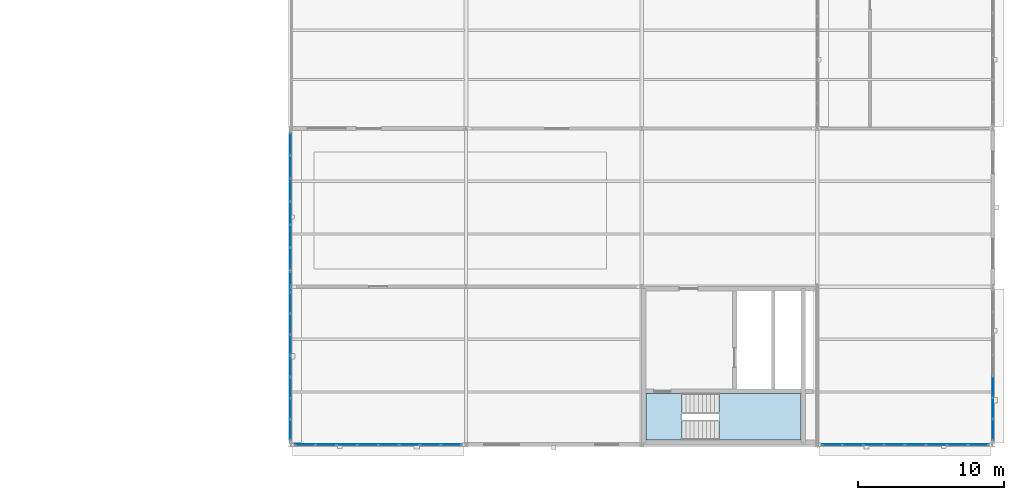
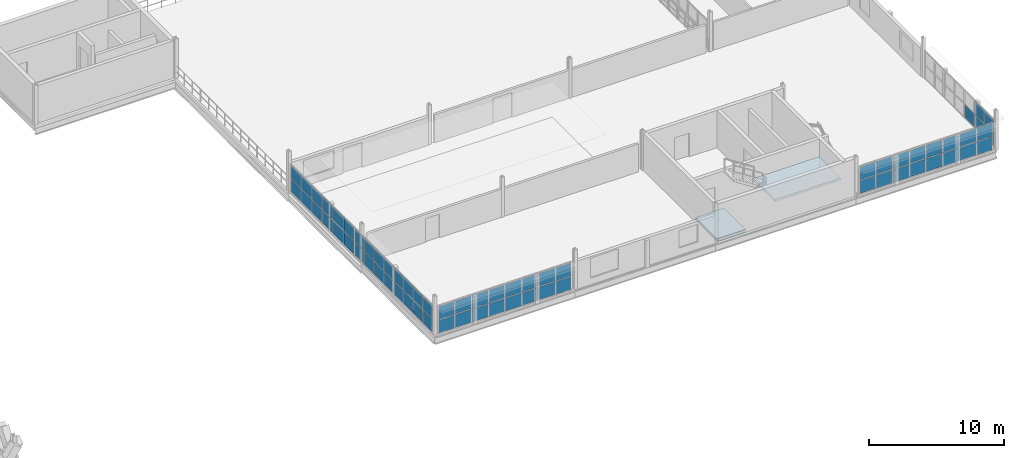
# One storey, part 48 of 74: 65 plates, 2 slabs, 6 elements without a shape of their own.
"""IFC4 building model written with IfcOpenShell, lengths in metres."""

from ifc_helpers import new_model, si_unit, direction, frame, origin, origin_2d, place, context, subcontext, project, spatial, polyline, rectangle, outline, extrude, material, layer, layer_set, type_object, element, aggregate, save


model = new_model("IFC4")

# Units and contexts
model_context = context("Model", 3, precision=1e-05, world=origin(), true_north=direction((0.0, 1.0)))
body_context = subcontext(model_context, "Body", "Model", "MODEL_VIEW")
ifc_project = project(units=[si_unit("LENGTHUNIT", "METRE"), si_unit("AREAUNIT", "SQUARE_METRE"), si_unit("VOLUMEUNIT", "CUBIC_METRE"), si_unit("PLANEANGLEUNIT", "RADIAN"), si_unit("MASSUNIT", "GRAM", prefix="KILO"), si_unit("THERMODYNAMICTEMPERATUREUNIT", "KELVIN"), si_unit("POWERUNIT", "WATT")], contexts=[model_context])

# Site, building, storey
site_placement = place(None, origin())
site = spatial("IfcSite", under=ifc_project, at=site_placement, CompositionType="ELEMENT")
building_placement = place(site_placement, origin())
building = spatial("IfcBuilding", under=site, at=building_placement, Name="Tembeka Court Mobility Hub", CompositionType="ELEMENT")
storey_placement = place(building_placement, frame((0.0, 0.0, 12.60009765625)))
storey = spatial("IfcBuildingStorey", under=building, at=storey_placement, Name="L03", CompositionType="ELEMENT", Elevation=12.60009765625)

# Curtain wall, plates
ifc_material_1 = material(Name="Anodised aluminium 6063-T6", Category="aluminium")
ifc_layer_1 = layer(ifc_material_1, 0.159912109375)
ifc_layer_set_1 = layer_set([ifc_layer_1], Name="Anodised aluminium 6063-T6")
curtain_wall_type_1 = type_object("IfcCurtainWallType", Name="CW-SYS41", PredefinedType="USERDEFINED", material=ifc_layer_set_1)
curtain_wall_1_placement = place(storey_placement, origin())
curtain_wall_1 = element("IfcCurtainWall", 1, at=curtain_wall_1_placement, inside=storey, type_object=curtain_wall_type_1, Name="Unitised curtain wall CW41 (CW-L03-133)", ObjectType="UNITISED GLAZING", PredefinedType="USERDEFINED")
ifc_material_2 = material(Name="Laminated solar-control low-E glass", Category="glass")
ifc_layer_2 = layer(ifc_material_2, 0.028076171875)
ifc_layer_set_2 = layer_set([ifc_layer_2], Name="Laminated solar-control low-E glass")
plate_type = type_object("IfcPlateType", Name="PL-CW01", PredefinedType="CURTAIN_PANEL", material=ifc_layer_set_2)
plate_1_placement = place(storey_placement, frame((129.4111328125, 0.0, 0.06494140625), z_axis=(0.0, 0.0, 1.0), x_axis=(1.0, 0.0, 0.0)))
plate_1 = element("IfcPlate", 2, at=plate_1_placement, type_object=plate_type, Name="CW41 panel 1.1", PredefinedType="CURTAIN_PANEL", context=body_context, shape_type="SweptSolid", body=[
    extrude(rectangle(XDim=1.33251953125, YDim=0.028076171875, at=origin_2d()), origin(), (0.0, 0.0, 1.0), 1.169921875),
])
plate_2_placement = place(storey_placement, frame((129.4111328125, 0.0, 1.300048828125), z_axis=(0.0, 0.0, 1.0), x_axis=(1.0, 0.0, 0.0)))
plate_2 = element("IfcPlate", 3, at=plate_2_placement, type_object=plate_type, Name="CW41 panel 1.2", PredefinedType="CURTAIN_PANEL", context=body_context, shape_type="SweptSolid", body=[
    extrude(rectangle(XDim=1.33251953125, YDim=0.028076171875, at=origin_2d()), origin(), (0.0, 0.0, 1.0), 1.169921875),
])
plate_3_placement = place(storey_placement, frame((130.824951171875, 0.0, 0.06494140625), z_axis=(0.0, 0.0, 1.0), x_axis=(1.0, 0.0, 0.0)))
plate_3 = element("IfcPlate", 4, at=plate_3_placement, type_object=plate_type, Name="CW41 panel 2.1", PredefinedType="CURTAIN_PANEL", context=body_context, shape_type="SweptSolid", body=[
    extrude(rectangle(XDim=1.364990234375, YDim=0.028076171875, at=origin_2d()), origin(), (0.0, 0.0, 1.0), 1.169921875),
])
plate_4_placement = place(storey_placement, frame((130.824951171875, 0.0, 1.300048828125), z_axis=(0.0, 0.0, 1.0), x_axis=(1.0, 0.0, 0.0)))
plate_4 = element("IfcPlate", 5, at=plate_4_placement, type_object=plate_type, Name="CW41 panel 2.2", PredefinedType="CURTAIN_PANEL", context=body_context, shape_type="SweptSolid", body=[
    extrude(rectangle(XDim=1.364990234375, YDim=0.028076171875, at=origin_2d()), origin(), (0.0, 0.0, 1.0), 1.169921875),
])
plate_5_placement = place(storey_placement, frame((132.2548828125, 0.0, 0.06494140625), z_axis=(0.0, 0.0, 1.0), x_axis=(1.0, 0.0, 0.0)))
plate_5 = element("IfcPlate", 6, at=plate_5_placement, type_object=plate_type, Name="CW41 panel 3.1", PredefinedType="CURTAIN_PANEL", context=body_context, shape_type="SweptSolid", body=[
    extrude(rectangle(XDim=1.364990234375, YDim=0.028076171875, at=origin_2d()), origin(), (0.0, 0.0, 1.0), 1.169921875),
])
plate_6_placement = place(storey_placement, frame((132.2548828125, 0.0, 1.300048828125), z_axis=(0.0, 0.0, 1.0), x_axis=(1.0, 0.0, 0.0)))
plate_6 = element("IfcPlate", 7, at=plate_6_placement, type_object=plate_type, Name="CW41 panel 3.2", PredefinedType="CURTAIN_PANEL", context=body_context, shape_type="SweptSolid", body=[
    extrude(rectangle(XDim=1.364990234375, YDim=0.028076171875, at=origin_2d()), origin(), (0.0, 0.0, 1.0), 1.169921875),
])
plate_7_placement = place(storey_placement, frame((133.68505859375, 0.0, 0.06494140625), z_axis=(0.0, 0.0, 1.0), x_axis=(1.0, 0.0, 0.0)))
plate_7 = element("IfcPlate", 8, at=plate_7_placement, type_object=plate_type, Name="CW41 panel 4.1", PredefinedType="CURTAIN_PANEL", context=body_context, shape_type="SweptSolid", body=[
    extrude(rectangle(XDim=1.364990234375, YDim=0.028076171875, at=origin_2d()), origin(), (0.0, 0.0, 1.0), 1.169921875),
])
plate_8_placement = place(storey_placement, frame((133.68505859375, 0.0, 1.300048828125), z_axis=(0.0, 0.0, 1.0), x_axis=(1.0, 0.0, 0.0)))
plate_8 = element("IfcPlate", 9, at=plate_8_placement, type_object=plate_type, Name="CW41 panel 4.2", PredefinedType="CURTAIN_PANEL", context=body_context, shape_type="SweptSolid", body=[
    extrude(rectangle(XDim=1.364990234375, YDim=0.028076171875, at=origin_2d()), origin(), (0.0, 0.0, 1.0), 1.169921875),
])
plate_9_placement = place(storey_placement, frame((135.114990234375, 0.0, 0.06494140625), z_axis=(0.0, 0.0, 1.0), x_axis=(1.0, 0.0, 0.0)))
plate_9 = element("IfcPlate", 10, at=plate_9_placement, type_object=plate_type, Name="CW41 panel 5.1", PredefinedType="CURTAIN_PANEL", context=body_context, shape_type="SweptSolid", body=[
    extrude(rectangle(XDim=1.364990234375, YDim=0.028076171875, at=origin_2d()), origin(), (0.0, 0.0, 1.0), 1.169921875),
])
plate_10_placement = place(storey_placement, frame((135.114990234375, 0.0, 1.300048828125), z_axis=(0.0, 0.0, 1.0), x_axis=(1.0, 0.0, 0.0)))
plate_10 = element("IfcPlate", 11, at=plate_10_placement, type_object=plate_type, Name="CW41 panel 5.2", PredefinedType="CURTAIN_PANEL", context=body_context, shape_type="SweptSolid", body=[
    extrude(rectangle(XDim=1.364990234375, YDim=0.028076171875, at=origin_2d()), origin(), (0.0, 0.0, 1.0), 1.169921875),
])
plate_11_placement = place(storey_placement, frame((136.544921875, 0.0, 0.06494140625), z_axis=(0.0, 0.0, 1.0), x_axis=(1.0, 0.0, 0.0)))
plate_11 = element("IfcPlate", 12, at=plate_11_placement, type_object=plate_type, Name="CW41 panel 6.1", PredefinedType="CURTAIN_PANEL", context=body_context, shape_type="SweptSolid", body=[
    extrude(rectangle(XDim=1.364990234375, YDim=0.028076171875, at=origin_2d()), origin(), (0.0, 0.0, 1.0), 1.169921875),
])
plate_12_placement = place(storey_placement, frame((136.544921875, 0.0, 1.300048828125), z_axis=(0.0, 0.0, 1.0), x_axis=(1.0, 0.0, 0.0)))
plate_12 = element("IfcPlate", 13, at=plate_12_placement, type_object=plate_type, Name="CW41 panel 6.2", PredefinedType="CURTAIN_PANEL", context=body_context, shape_type="SweptSolid", body=[
    extrude(rectangle(XDim=1.364990234375, YDim=0.028076171875, at=origin_2d()), origin(), (0.0, 0.0, 1.0), 1.169921875),
])
plate_13_placement = place(storey_placement, frame((137.97509765625, 0.0, 0.06494140625), z_axis=(0.0, 0.0, 1.0), x_axis=(1.0, 0.0, 0.0)))
plate_13 = element("IfcPlate", 14, at=plate_13_placement, type_object=plate_type, Name="CW41 panel 7.1", PredefinedType="CURTAIN_PANEL", context=body_context, shape_type="SweptSolid", body=[
    extrude(rectangle(XDim=1.364990234375, YDim=0.028076171875, at=origin_2d()), origin(), (0.0, 0.0, 1.0), 1.169921875),
])
plate_14_placement = place(storey_placement, frame((137.97509765625, 0.0, 1.300048828125), z_axis=(0.0, 0.0, 1.0), x_axis=(1.0, 0.0, 0.0)))
plate_14 = element("IfcPlate", 15, at=plate_14_placement, type_object=plate_type, Name="CW41 panel 7.2", PredefinedType="CURTAIN_PANEL", context=body_context, shape_type="SweptSolid", body=[
    extrude(rectangle(XDim=1.364990234375, YDim=0.028076171875, at=origin_2d()), origin(), (0.0, 0.0, 1.0), 1.169921875),
])
plate_15_placement = place(storey_placement, frame((139.388671875, 0.0, 0.06494140625), z_axis=(0.0, 0.0, 1.0), x_axis=(1.0, 0.0, 0.0)))
plate_15 = element("IfcPlate", 16, at=plate_15_placement, type_object=plate_type, Name="CW41 panel 8.1", PredefinedType="CURTAIN_PANEL", context=body_context, shape_type="SweptSolid", body=[
    extrude(rectangle(XDim=1.33251953125, YDim=0.028076171875, at=origin_2d()), origin(), (0.0, 0.0, 1.0), 1.169921875),
])
plate_16_placement = place(storey_placement, frame((139.388671875, 0.0, 1.300048828125), z_axis=(0.0, 0.0, 1.0), x_axis=(1.0, 0.0, 0.0)))
plate_16 = element("IfcPlate", 17, at=plate_16_placement, type_object=plate_type, Name="CW41 panel 8.2", PredefinedType="CURTAIN_PANEL", context=body_context, shape_type="SweptSolid", body=[
    extrude(rectangle(XDim=1.33251953125, YDim=0.028076171875, at=origin_2d()), origin(), (0.0, 0.0, 1.0), 1.169921875),
])
aggregate(curtain_wall_1, [plate_1, plate_2, plate_3, plate_4, plate_5, plate_6, plate_7, plate_8, plate_9, plate_10, plate_11, plate_12, plate_13, plate_14, plate_15, plate_16])

curtain_wall_2_placement = place(storey_placement, origin())
curtain_wall_2 = element("IfcCurtainWall", 18, at=curtain_wall_2_placement, inside=storey, type_object=curtain_wall_type_1, Name="Unitised curtain wall CW41 (CW-L03-134)", ObjectType="UNITISED GLAZING", PredefinedType="USERDEFINED")
plate_17_placement = place(storey_placement, frame((165.4111328125, 0.0, 0.06494140625), z_axis=(0.0, 0.0, 1.0), x_axis=(1.0, 0.0, 0.0)))
plate_17 = element("IfcPlate", 19, at=plate_17_placement, type_object=plate_type, Name="CW41 panel 1.1", PredefinedType="CURTAIN_PANEL", context=body_context, shape_type="SweptSolid", body=[
    extrude(rectangle(XDim=1.33251953125, YDim=0.028076171875, at=origin_2d()), origin(), (0.0, 0.0, 1.0), 1.169921875),
])
plate_18_placement = place(storey_placement, frame((165.4111328125, 0.0, 1.300048828125), z_axis=(0.0, 0.0, 1.0), x_axis=(1.0, 0.0, 0.0)))
plate_18 = element("IfcPlate", 20, at=plate_18_placement, type_object=plate_type, Name="CW41 panel 1.2", PredefinedType="CURTAIN_PANEL", context=body_context, shape_type="SweptSolid", body=[
    extrude(rectangle(XDim=1.33251953125, YDim=0.028076171875, at=origin_2d()), origin(), (0.0, 0.0, 1.0), 1.169921875),
])
plate_19_placement = place(storey_placement, frame((166.824951171875, 0.0, 0.06494140625), z_axis=(0.0, 0.0, 1.0), x_axis=(1.0, 0.0, 0.0)))
plate_19 = element("IfcPlate", 21, at=plate_19_placement, type_object=plate_type, Name="CW41 panel 2.1", PredefinedType="CURTAIN_PANEL", context=body_context, shape_type="SweptSolid", body=[
    extrude(rectangle(XDim=1.364990234375, YDim=0.028076171875, at=origin_2d()), origin(), (0.0, 0.0, 1.0), 1.169921875),
])
plate_20_placement = place(storey_placement, frame((166.824951171875, 0.0, 1.300048828125), z_axis=(0.0, 0.0, 1.0), x_axis=(1.0, 0.0, 0.0)))
plate_20 = element("IfcPlate", 22, at=plate_20_placement, type_object=plate_type, Name="CW41 panel 2.2", PredefinedType="CURTAIN_PANEL", context=body_context, shape_type="SweptSolid", body=[
    extrude(rectangle(XDim=1.364990234375, YDim=0.028076171875, at=origin_2d()), origin(), (0.0, 0.0, 1.0), 1.169921875),
])
plate_21_placement = place(storey_placement, frame((168.2548828125, 0.0, 0.06494140625), z_axis=(0.0, 0.0, 1.0), x_axis=(1.0, 0.0, 0.0)))
plate_21 = element("IfcPlate", 23, at=plate_21_placement, type_object=plate_type, Name="CW41 panel 3.1", PredefinedType="CURTAIN_PANEL", context=body_context, shape_type="SweptSolid", body=[
    extrude(rectangle(XDim=1.364990234375, YDim=0.028076171875, at=origin_2d()), origin(), (0.0, 0.0, 1.0), 1.169921875),
])
plate_22_placement = place(storey_placement, frame((168.2548828125, 0.0, 1.300048828125), z_axis=(0.0, 0.0, 1.0), x_axis=(1.0, 0.0, 0.0)))
plate_22 = element("IfcPlate", 24, at=plate_22_placement, type_object=plate_type, Name="CW41 panel 3.2", PredefinedType="CURTAIN_PANEL", context=body_context, shape_type="SweptSolid", body=[
    extrude(rectangle(XDim=1.364990234375, YDim=0.028076171875, at=origin_2d()), origin(), (0.0, 0.0, 1.0), 1.169921875),
])
plate_23_placement = place(storey_placement, frame((169.68505859375, 0.0, 0.06494140625), z_axis=(0.0, 0.0, 1.0), x_axis=(1.0, 0.0, 0.0)))
plate_23 = element("IfcPlate", 25, at=plate_23_placement, type_object=plate_type, Name="CW41 panel 4.1", PredefinedType="CURTAIN_PANEL", context=body_context, shape_type="SweptSolid", body=[
    extrude(rectangle(XDim=1.364990234375, YDim=0.028076171875, at=origin_2d()), origin(), (0.0, 0.0, 1.0), 1.169921875),
])
plate_24_placement = place(storey_placement, frame((169.68505859375, 0.0, 1.300048828125), z_axis=(0.0, 0.0, 1.0), x_axis=(1.0, 0.0, 0.0)))
plate_24 = element("IfcPlate", 26, at=plate_24_placement, type_object=plate_type, Name="CW41 panel 4.2", PredefinedType="CURTAIN_PANEL", context=body_context, shape_type="SweptSolid", body=[
    extrude(rectangle(XDim=1.364990234375, YDim=0.028076171875, at=origin_2d()), origin(), (0.0, 0.0, 1.0), 1.169921875),
])
plate_25_placement = place(storey_placement, frame((171.114990234375, 0.0, 0.06494140625), z_axis=(0.0, 0.0, 1.0), x_axis=(1.0, 0.0, 0.0)))
plate_25 = element("IfcPlate", 27, at=plate_25_placement, type_object=plate_type, Name="CW41 panel 5.1", PredefinedType="CURTAIN_PANEL", context=body_context, shape_type="SweptSolid", body=[
    extrude(rectangle(XDim=1.364990234375, YDim=0.028076171875, at=origin_2d()), origin(), (0.0, 0.0, 1.0), 1.169921875),
])
plate_26_placement = place(storey_placement, frame((171.114990234375, 0.0, 1.300048828125), z_axis=(0.0, 0.0, 1.0), x_axis=(1.0, 0.0, 0.0)))
plate_26 = element("IfcPlate", 28, at=plate_26_placement, type_object=plate_type, Name="CW41 panel 5.2", PredefinedType="CURTAIN_PANEL", context=body_context, shape_type="SweptSolid", body=[
    extrude(rectangle(XDim=1.364990234375, YDim=0.028076171875, at=origin_2d()), origin(), (0.0, 0.0, 1.0), 1.169921875),
])
plate_27_placement = place(storey_placement, frame((172.544921875, 0.0, 0.06494140625), z_axis=(0.0, 0.0, 1.0), x_axis=(1.0, 0.0, 0.0)))
plate_27 = element("IfcPlate", 29, at=plate_27_placement, type_object=plate_type, Name="CW41 panel 6.1", PredefinedType="CURTAIN_PANEL", context=body_context, shape_type="SweptSolid", body=[
    extrude(rectangle(XDim=1.364990234375, YDim=0.028076171875, at=origin_2d()), origin(), (0.0, 0.0, 1.0), 1.169921875),
])
plate_28_placement = place(storey_placement, frame((172.544921875, 0.0, 1.300048828125), z_axis=(0.0, 0.0, 1.0), x_axis=(1.0, 0.0, 0.0)))
plate_28 = element("IfcPlate", 30, at=plate_28_placement, type_object=plate_type, Name="CW41 panel 6.2", PredefinedType="CURTAIN_PANEL", context=body_context, shape_type="SweptSolid", body=[
    extrude(rectangle(XDim=1.364990234375, YDim=0.028076171875, at=origin_2d()), origin(), (0.0, 0.0, 1.0), 1.169921875),
])
plate_29_placement = place(storey_placement, frame((173.97509765625, 0.0, 0.06494140625), z_axis=(0.0, 0.0, 1.0), x_axis=(1.0, 0.0, 0.0)))
plate_29 = element("IfcPlate", 31, at=plate_29_placement, type_object=plate_type, Name="CW41 panel 7.1", PredefinedType="CURTAIN_PANEL", context=body_context, shape_type="SweptSolid", body=[
    extrude(rectangle(XDim=1.364990234375, YDim=0.028076171875, at=origin_2d()), origin(), (0.0, 0.0, 1.0), 1.169921875),
])
plate_30_placement = place(storey_placement, frame((173.97509765625, 0.0, 1.300048828125), z_axis=(0.0, 0.0, 1.0), x_axis=(1.0, 0.0, 0.0)))
plate_30 = element("IfcPlate", 32, at=plate_30_placement, type_object=plate_type, Name="CW41 panel 7.2", PredefinedType="CURTAIN_PANEL", context=body_context, shape_type="SweptSolid", body=[
    extrude(rectangle(XDim=1.364990234375, YDim=0.028076171875, at=origin_2d()), origin(), (0.0, 0.0, 1.0), 1.169921875),
])
plate_31_placement = place(storey_placement, frame((175.388671875, 0.0, 0.06494140625), z_axis=(0.0, 0.0, 1.0), x_axis=(1.0, 0.0, 0.0)))
plate_31 = element("IfcPlate", 33, at=plate_31_placement, type_object=plate_type, Name="CW41 panel 8.1", PredefinedType="CURTAIN_PANEL", context=body_context, shape_type="SweptSolid", body=[
    extrude(rectangle(XDim=1.33251953125, YDim=0.028076171875, at=origin_2d()), origin(), (0.0, 0.0, 1.0), 1.169921875),
])
plate_32_placement = place(storey_placement, frame((175.388671875, 0.0, 1.300048828125), z_axis=(0.0, 0.0, 1.0), x_axis=(1.0, 0.0, 0.0)))
plate_32 = element("IfcPlate", 34, at=plate_32_placement, type_object=plate_type, Name="CW41 panel 8.2", PredefinedType="CURTAIN_PANEL", context=body_context, shape_type="SweptSolid", body=[
    extrude(rectangle(XDim=1.33251953125, YDim=0.028076171875, at=origin_2d()), origin(), (0.0, 0.0, 1.0), 1.169921875),
])
aggregate(curtain_wall_2, [plate_17, plate_18, plate_19, plate_20, plate_21, plate_22, plate_23, plate_24, plate_25, plate_26, plate_27, plate_28, plate_29, plate_30, plate_31, plate_32])

ifc_layer_3 = layer(ifc_material_1, 0.159912109375)
ifc_layer_set_3 = layer_set([ifc_layer_3], Name="Anodised aluminium 6063-T6")
curtain_wall_type_2 = type_object("IfcCurtainWallType", Name="CW-SYS42", PredefinedType="USERDEFINED", material=ifc_layer_set_3)
curtain_wall_3_placement = place(storey_placement, origin())
curtain_wall_3 = element("IfcCurtainWall", 35, at=curtain_wall_3_placement, inside=storey, type_object=curtain_wall_type_2, Name="Unitised curtain wall CW42 (CW-L03-135)", ObjectType="UNITISED GLAZING", PredefinedType="USERDEFINED")
plate_33_placement = place(storey_placement, frame((176.39990234375, 1.027587890625, 0.06494140625), z_axis=(0.0, 0.0, 1.0), x_axis=(0.0, 1.0, 0.0)))
plate_33 = element("IfcPlate", 36, at=plate_33_placement, type_object=plate_type, Name="CW42 panel 1.1", PredefinedType="CURTAIN_PANEL", context=body_context, shape_type="SweptSolid", body=[
    extrude(rectangle(XDim=1.365478515625, YDim=0.028076171875, at=origin_2d()), origin(), (0.0, 0.0, 1.0), 1.169921875),
])
plate_34_placement = place(storey_placement, frame((176.39990234375, 1.027587890625, 1.300048828125), z_axis=(0.0, 0.0, 1.0), x_axis=(0.0, 1.0, 0.0)))
plate_34 = element("IfcPlate", 37, at=plate_34_placement, type_object=plate_type, Name="CW42 panel 1.2", PredefinedType="CURTAIN_PANEL", context=body_context, shape_type="SweptSolid", body=[
    extrude(rectangle(XDim=1.365478515625, YDim=0.028076171875, at=origin_2d()), origin(), (0.0, 0.0, 1.0), 1.169921875),
])
plate_35_placement = place(storey_placement, frame((176.39990234375, 2.474365234375, 0.06494140625), z_axis=(0.0, 0.0, 1.0), x_axis=(0.0, 1.0, 0.0)))
plate_35 = element("IfcPlate", 38, at=plate_35_placement, type_object=plate_type, Name="CW42 panel 2.1", PredefinedType="CURTAIN_PANEL", context=body_context, shape_type="SweptSolid", body=[
    extrude(rectangle(XDim=1.39794921875, YDim=0.028076171875, at=origin_2d()), origin(), (0.0, 0.0, 1.0), 1.169921875),
])
plate_36_placement = place(storey_placement, frame((176.39990234375, 2.474365234375, 1.300048828125), z_axis=(0.0, 0.0, 1.0), x_axis=(0.0, 1.0, 0.0)))
plate_36 = element("IfcPlate", 39, at=plate_36_placement, type_object=plate_type, Name="CW42 panel 2.2", PredefinedType="CURTAIN_PANEL", context=body_context, shape_type="SweptSolid", body=[
    extrude(rectangle(XDim=1.39794921875, YDim=0.028076171875, at=origin_2d()), origin(), (0.0, 0.0, 1.0), 1.169921875),
])
plate_37_placement = place(storey_placement, frame((176.39990234375, 3.937255859375, 0.06494140625), z_axis=(0.0, 0.0, 1.0), x_axis=(0.0, 1.0, 0.0)))
plate_37 = element("IfcPlate", 40, at=plate_37_placement, type_object=plate_type, Name="CW42 panel 3.1", PredefinedType="CURTAIN_PANEL", context=body_context, shape_type="SweptSolid", body=[
    extrude(rectangle(XDim=1.39794921875, YDim=0.028076171875, at=origin_2d()), origin(), (0.0, 0.0, 1.0), 1.169921875),
])
aggregate(curtain_wall_3, [plate_33, plate_34, plate_35, plate_36, plate_37])

ifc_layer_4 = layer(ifc_material_1, 0.159912109375)
ifc_layer_set_4 = layer_set([ifc_layer_4], Name="Anodised aluminium 6063-T6")
curtain_wall_type_3 = type_object("IfcCurtainWallType", Name="CW-SYS55", PredefinedType="USERDEFINED", material=ifc_layer_set_4)
curtain_wall_4_placement = place(storey_placement, origin())
curtain_wall_4 = element("IfcCurtainWall", 41, at=curtain_wall_4_placement, inside=storey, type_object=curtain_wall_type_3, Name="Unitised curtain wall CW55 (CW-L03-142)", ObjectType="UNITISED GLAZING", PredefinedType="USERDEFINED")
plate_38_placement = place(storey_placement, frame((128.39990234375, 1.02001953125, 0.06494140625), z_axis=(0.0, 0.0, 1.0), x_axis=(0.0, 1.0, 0.0)))
plate_38 = element("IfcPlate", 42, at=plate_38_placement, type_object=plate_type, Name="CW55 panel 1.1", PredefinedType="CURTAIN_PANEL", context=body_context, shape_type="SweptSolid", body=[
    extrude(rectangle(XDim=1.35009765625, YDim=0.028076171875, at=origin_2d()), origin(), (0.0, 0.0, 1.0), 1.169921875),
])
plate_39_placement = place(storey_placement, frame((128.39990234375, 1.02001953125, 1.300048828125), z_axis=(0.0, 0.0, 1.0), x_axis=(0.0, 1.0, 0.0)))
plate_39 = element("IfcPlate", 43, at=plate_39_placement, type_object=plate_type, Name="CW55 panel 1.2", PredefinedType="CURTAIN_PANEL", context=body_context, shape_type="SweptSolid", body=[
    extrude(rectangle(XDim=1.35009765625, YDim=0.028076171875, at=origin_2d()), origin(), (0.0, 0.0, 1.0), 1.169921875),
])
plate_40_placement = place(storey_placement, frame((128.39990234375, 2.451171875, 0.06494140625), z_axis=(0.0, 0.0, 1.0), x_axis=(0.0, 1.0, 0.0)))
plate_40 = element("IfcPlate", 44, at=plate_40_placement, type_object=plate_type, Name="CW55 panel 2.1", PredefinedType="CURTAIN_PANEL", context=body_context, shape_type="SweptSolid", body=[
    extrude(rectangle(XDim=1.382568359375, YDim=0.028076171875, at=origin_2d()), origin(), (0.0, 0.0, 1.0), 1.169921875),
])
plate_41_placement = place(storey_placement, frame((128.39990234375, 2.451171875, 1.300048828125), z_axis=(0.0, 0.0, 1.0), x_axis=(0.0, 1.0, 0.0)))
plate_41 = element("IfcPlate", 45, at=plate_41_placement, type_object=plate_type, Name="CW55 panel 2.2", PredefinedType="CURTAIN_PANEL", context=body_context, shape_type="SweptSolid", body=[
    extrude(rectangle(XDim=1.382568359375, YDim=0.028076171875, at=origin_2d()), origin(), (0.0, 0.0, 1.0), 1.169921875),
])
plate_42_placement = place(storey_placement, frame((128.39990234375, 3.898681640625, 0.06494140625), z_axis=(0.0, 0.0, 1.0), x_axis=(0.0, 1.0, 0.0)))
plate_42 = element("IfcPlate", 46, at=plate_42_placement, type_object=plate_type, Name="CW55 panel 3.1", PredefinedType="CURTAIN_PANEL", context=body_context, shape_type="SweptSolid", body=[
    extrude(rectangle(XDim=1.382568359375, YDim=0.028076171875, at=origin_2d()), origin(), (0.0, 0.0, 1.0), 1.169921875),
])
plate_43_placement = place(storey_placement, frame((128.39990234375, 3.898681640625, 1.300048828125), z_axis=(0.0, 0.0, 1.0), x_axis=(0.0, 1.0, 0.0)))
plate_43 = element("IfcPlate", 47, at=plate_43_placement, type_object=plate_type, Name="CW55 panel 3.2", PredefinedType="CURTAIN_PANEL", context=body_context, shape_type="SweptSolid", body=[
    extrude(rectangle(XDim=1.382568359375, YDim=0.028076171875, at=origin_2d()), origin(), (0.0, 0.0, 1.0), 1.169921875),
])
plate_44_placement = place(storey_placement, frame((128.39990234375, 5.34619140625, 0.06494140625), z_axis=(0.0, 0.0, 1.0), x_axis=(0.0, 1.0, 0.0)))
plate_44 = element("IfcPlate", 48, at=plate_44_placement, type_object=plate_type, Name="CW55 panel 4.1", PredefinedType="CURTAIN_PANEL", context=body_context, shape_type="SweptSolid", body=[
    extrude(rectangle(XDim=1.382568359375, YDim=0.028076171875, at=origin_2d()), origin(), (0.0, 0.0, 1.0), 1.169921875),
])
plate_45_placement = place(storey_placement, frame((128.39990234375, 5.34619140625, 1.300048828125), z_axis=(0.0, 0.0, 1.0), x_axis=(0.0, 1.0, 0.0)))
plate_45 = element("IfcPlate", 49, at=plate_45_placement, type_object=plate_type, Name="CW55 panel 4.2", PredefinedType="CURTAIN_PANEL", context=body_context, shape_type="SweptSolid", body=[
    extrude(rectangle(XDim=1.382568359375, YDim=0.028076171875, at=origin_2d()), origin(), (0.0, 0.0, 1.0), 1.169921875),
])
plate_46_placement = place(storey_placement, frame((128.39990234375, 6.793701171875, 0.06494140625), z_axis=(0.0, 0.0, 1.0), x_axis=(0.0, 1.0, 0.0)))
plate_46 = element("IfcPlate", 50, at=plate_46_placement, type_object=plate_type, Name="CW55 panel 5.1", PredefinedType="CURTAIN_PANEL", context=body_context, shape_type="SweptSolid", body=[
    extrude(rectangle(XDim=1.382568359375, YDim=0.028076171875, at=origin_2d()), origin(), (0.0, 0.0, 1.0), 1.169921875),
])
plate_47_placement = place(storey_placement, frame((128.39990234375, 6.793701171875, 1.300048828125), z_axis=(0.0, 0.0, 1.0), x_axis=(0.0, 1.0, 0.0)))
plate_47 = element("IfcPlate", 51, at=plate_47_placement, type_object=plate_type, Name="CW55 panel 5.2", PredefinedType="CURTAIN_PANEL", context=body_context, shape_type="SweptSolid", body=[
    extrude(rectangle(XDim=1.382568359375, YDim=0.028076171875, at=origin_2d()), origin(), (0.0, 0.0, 1.0), 1.169921875),
])
plate_48_placement = place(storey_placement, frame((128.39990234375, 8.2412109375, 0.06494140625), z_axis=(0.0, 0.0, 1.0), x_axis=(0.0, 1.0, 0.0)))
plate_48 = element("IfcPlate", 52, at=plate_48_placement, type_object=plate_type, Name="CW55 panel 6.1", PredefinedType="CURTAIN_PANEL", context=body_context, shape_type="SweptSolid", body=[
    extrude(rectangle(XDim=1.382568359375, YDim=0.028076171875, at=origin_2d()), origin(), (0.0, 0.0, 1.0), 1.169921875),
])
plate_49_placement = place(storey_placement, frame((128.39990234375, 8.2412109375, 1.300048828125), z_axis=(0.0, 0.0, 1.0), x_axis=(0.0, 1.0, 0.0)))
plate_49 = element("IfcPlate", 53, at=plate_49_placement, type_object=plate_type, Name="CW55 panel 6.2", PredefinedType="CURTAIN_PANEL", context=body_context, shape_type="SweptSolid", body=[
    extrude(rectangle(XDim=1.382568359375, YDim=0.028076171875, at=origin_2d()), origin(), (0.0, 0.0, 1.0), 1.169921875),
])
plate_50_placement = place(storey_placement, frame((128.39990234375, 9.688720703125, 0.06494140625), z_axis=(0.0, 0.0, 1.0), x_axis=(0.0, 1.0, 0.0)))
plate_50 = element("IfcPlate", 54, at=plate_50_placement, type_object=plate_type, Name="CW55 panel 7.1", PredefinedType="CURTAIN_PANEL", context=body_context, shape_type="SweptSolid", body=[
    extrude(rectangle(XDim=1.382568359375, YDim=0.028076171875, at=origin_2d()), origin(), (0.0, 0.0, 1.0), 1.169921875),
])
plate_51_placement = place(storey_placement, frame((128.39990234375, 9.688720703125, 1.300048828125), z_axis=(0.0, 0.0, 1.0), x_axis=(0.0, 1.0, 0.0)))
plate_51 = element("IfcPlate", 55, at=plate_51_placement, type_object=plate_type, Name="CW55 panel 7.2", PredefinedType="CURTAIN_PANEL", context=body_context, shape_type="SweptSolid", body=[
    extrude(rectangle(XDim=1.382568359375, YDim=0.028076171875, at=origin_2d()), origin(), (0.0, 0.0, 1.0), 1.169921875),
])
plate_52_placement = place(storey_placement, frame((128.39990234375, 11.1201171875, 0.06494140625), z_axis=(0.0, 0.0, 1.0), x_axis=(0.0, 1.0, 0.0)))
plate_52 = element("IfcPlate", 56, at=plate_52_placement, type_object=plate_type, Name="CW55 panel 8.1", PredefinedType="CURTAIN_PANEL", context=body_context, shape_type="SweptSolid", body=[
    extrude(rectangle(XDim=1.35009765625, YDim=0.028076171875, at=origin_2d()), origin(), (0.0, 0.0, 1.0), 1.169921875),
])
plate_53_placement = place(storey_placement, frame((128.39990234375, 11.1201171875, 1.300048828125), z_axis=(0.0, 0.0, 1.0), x_axis=(0.0, 1.0, 0.0)))
plate_53 = element("IfcPlate", 57, at=plate_53_placement, type_object=plate_type, Name="CW55 panel 8.2", PredefinedType="CURTAIN_PANEL", context=body_context, shape_type="SweptSolid", body=[
    extrude(rectangle(XDim=1.35009765625, YDim=0.028076171875, at=origin_2d()), origin(), (0.0, 0.0, 1.0), 1.169921875),
])
aggregate(curtain_wall_4, [plate_38, plate_39, plate_40, plate_41, plate_42, plate_43, plate_44, plate_45, plate_46, plate_47, plate_48, plate_49, plate_50, plate_51, plate_52, plate_53])

ifc_layer_5 = layer(ifc_material_1, 0.159912109375)
ifc_layer_set_5 = layer_set([ifc_layer_5], Name="Anodised aluminium 6063-T6")
curtain_wall_type_4 = type_object("IfcCurtainWallType", Name="CW-SYS56", PredefinedType="USERDEFINED", material=ifc_layer_set_5)
curtain_wall_5_placement = place(storey_placement, origin())
curtain_wall_5 = element("IfcCurtainWall", 58, at=curtain_wall_5_placement, inside=storey, type_object=curtain_wall_type_4, Name="Unitised curtain wall CW56 (CW-L03-143)", ObjectType="UNITISED GLAZING", PredefinedType="USERDEFINED")
plate_54_placement = place(storey_placement, frame((128.39990234375, 12.701171875, 0.06494140625), z_axis=(0.0, 0.0, 1.0), x_axis=(0.0, 1.0, 0.0)))
plate_54 = element("IfcPlate", 59, at=plate_54_placement, type_object=plate_type, Name="CW56 panel 1.1", PredefinedType="CURTAIN_PANEL", context=body_context, shape_type="SweptSolid", body=[
    extrude(rectangle(XDim=1.472412109375, YDim=0.028076171875, at=origin_2d()), origin(), (0.0, 0.0, 1.0), 1.169921875),
])
plate_55_placement = place(storey_placement, frame((128.39990234375, 12.701171875, 1.300048828125), z_axis=(0.0, 0.0, 1.0), x_axis=(0.0, 1.0, 0.0)))
plate_55 = element("IfcPlate", 60, at=plate_55_placement, type_object=plate_type, Name="CW56 panel 1.2", PredefinedType="CURTAIN_PANEL", context=body_context, shape_type="SweptSolid", body=[
    extrude(rectangle(XDim=1.472412109375, YDim=0.028076171875, at=origin_2d()), origin(), (0.0, 0.0, 1.0), 1.169921875),
])
plate_56_placement = place(storey_placement, frame((128.39990234375, 14.2548828125, 0.06494140625), z_axis=(0.0, 0.0, 1.0), x_axis=(0.0, 1.0, 0.0)))
plate_56 = element("IfcPlate", 61, at=plate_56_placement, type_object=plate_type, Name="CW56 panel 2.1", PredefinedType="CURTAIN_PANEL", context=body_context, shape_type="SweptSolid", body=[
    extrude(rectangle(XDim=1.5048828125, YDim=0.028076171875, at=origin_2d()), origin(), (0.0, 0.0, 1.0), 1.169921875),
])
plate_57_placement = place(storey_placement, frame((128.39990234375, 14.2548828125, 1.300048828125), z_axis=(0.0, 0.0, 1.0), x_axis=(0.0, 1.0, 0.0)))
plate_57 = element("IfcPlate", 62, at=plate_57_placement, type_object=plate_type, Name="CW56 panel 2.2", PredefinedType="CURTAIN_PANEL", context=body_context, shape_type="SweptSolid", body=[
    extrude(rectangle(XDim=1.5048828125, YDim=0.028076171875, at=origin_2d()), origin(), (0.0, 0.0, 1.0), 1.169921875),
])
plate_58_placement = place(storey_placement, frame((128.39990234375, 15.824951171875, 0.06494140625), z_axis=(0.0, 0.0, 1.0), x_axis=(0.0, 1.0, 0.0)))
plate_58 = element("IfcPlate", 63, at=plate_58_placement, type_object=plate_type, Name="CW56 panel 3.1", PredefinedType="CURTAIN_PANEL", context=body_context, shape_type="SweptSolid", body=[
    extrude(rectangle(XDim=1.5048828125, YDim=0.028076171875, at=origin_2d()), origin(), (0.0, 0.0, 1.0), 1.169921875),
])
plate_59_placement = place(storey_placement, frame((128.39990234375, 15.824951171875, 1.300048828125), z_axis=(0.0, 0.0, 1.0), x_axis=(0.0, 1.0, 0.0)))
plate_59 = element("IfcPlate", 64, at=plate_59_placement, type_object=plate_type, Name="CW56 panel 3.2", PredefinedType="CURTAIN_PANEL", context=body_context, shape_type="SweptSolid", body=[
    extrude(rectangle(XDim=1.5048828125, YDim=0.028076171875, at=origin_2d()), origin(), (0.0, 0.0, 1.0), 1.169921875),
])
plate_60_placement = place(storey_placement, frame((128.39990234375, 17.39501953125, 0.06494140625), z_axis=(0.0, 0.0, 1.0), x_axis=(0.0, 1.0, 0.0)))
plate_60 = element("IfcPlate", 65, at=plate_60_placement, type_object=plate_type, Name="CW56 panel 4.1", PredefinedType="CURTAIN_PANEL", context=body_context, shape_type="SweptSolid", body=[
    extrude(rectangle(XDim=1.5048828125, YDim=0.028076171875, at=origin_2d()), origin(), (0.0, 0.0, 1.0), 1.169921875),
])
plate_61_placement = place(storey_placement, frame((128.39990234375, 17.39501953125, 1.300048828125), z_axis=(0.0, 0.0, 1.0), x_axis=(0.0, 1.0, 0.0)))
plate_61 = element("IfcPlate", 66, at=plate_61_placement, type_object=plate_type, Name="CW56 panel 4.2", PredefinedType="CURTAIN_PANEL", context=body_context, shape_type="SweptSolid", body=[
    extrude(rectangle(XDim=1.5048828125, YDim=0.028076171875, at=origin_2d()), origin(), (0.0, 0.0, 1.0), 1.169921875),
])
plate_62_placement = place(storey_placement, frame((128.39990234375, 18.965087890625, 0.06494140625), z_axis=(0.0, 0.0, 1.0), x_axis=(0.0, 1.0, 0.0)))
plate_62 = element("IfcPlate", 67, at=plate_62_placement, type_object=plate_type, Name="CW56 panel 5.1", PredefinedType="CURTAIN_PANEL", context=body_context, shape_type="SweptSolid", body=[
    extrude(rectangle(XDim=1.5048828125, YDim=0.028076171875, at=origin_2d()), origin(), (0.0, 0.0, 1.0), 1.169921875),
])
plate_63_placement = place(storey_placement, frame((128.39990234375, 18.965087890625, 1.300048828125), z_axis=(0.0, 0.0, 1.0), x_axis=(0.0, 1.0, 0.0)))
plate_63 = element("IfcPlate", 68, at=plate_63_placement, type_object=plate_type, Name="CW56 panel 5.2", PredefinedType="CURTAIN_PANEL", context=body_context, shape_type="SweptSolid", body=[
    extrude(rectangle(XDim=1.5048828125, YDim=0.028076171875, at=origin_2d()), origin(), (0.0, 0.0, 1.0), 1.169921875),
])
plate_64_placement = place(storey_placement, frame((128.39990234375, 20.518798828125, 0.06494140625), z_axis=(0.0, 0.0, 1.0), x_axis=(0.0, 1.0, 0.0)))
plate_64 = element("IfcPlate", 69, at=plate_64_placement, type_object=plate_type, Name="CW56 panel 6.1", PredefinedType="CURTAIN_PANEL", context=body_context, shape_type="SweptSolid", body=[
    extrude(rectangle(XDim=1.472412109375, YDim=0.028076171875, at=origin_2d()), origin(), (0.0, 0.0, 1.0), 1.169921875),
])
plate_65_placement = place(storey_placement, frame((128.39990234375, 20.518798828125, 1.300048828125), z_axis=(0.0, 0.0, 1.0), x_axis=(0.0, 1.0, 0.0)))
plate_65 = element("IfcPlate", 70, at=plate_65_placement, type_object=plate_type, Name="CW56 panel 6.2", PredefinedType="CURTAIN_PANEL", context=body_context, shape_type="SweptSolid", body=[
    extrude(rectangle(XDim=1.472412109375, YDim=0.028076171875, at=origin_2d()), origin(), (0.0, 0.0, 1.0), 1.169921875),
])
aggregate(curtain_wall_5, [plate_54, plate_55, plate_56, plate_57, plate_58, plate_59, plate_60, plate_61, plate_62, plate_63, plate_64, plate_65])

# Slab
ifc_material_3 = material(Name="Concrete C40/50", Category="concrete")
ifc_layer_6 = layer(ifc_material_3, 0.199951171875)
ifc_layer_set_6 = layer_set([ifc_layer_6], Name="Concrete C40/50")
slab_type = type_object("IfcSlabType", Name="SL-LD01", PredefinedType="LANDING", material=ifc_layer_set_6)
slab_1_placement = place(storey_placement, frame((0.0, 0.0, -0.25)))
element("IfcSlab", 71, at=slab_1_placement, inside=storey, type_object=slab_type, Name="Stair ST06 L03 floor landing slab", PredefinedType="LANDING", context=body_context, shape_type="SweptSolid", body=[
    extrude(outline(polyline([(152.699951171875, 0.300048828125), (155.14990234375, 0.300048828125), (155.14990234375, 3.5), (152.699951171875, 3.5), (152.699951171875, 0.300048828125)])), origin(), (0.0, 0.0, 1.0), 0.25),
])

# Stair, slab
stair_type = type_object("IfcStairType", Name="STR-ST06L03", PredefinedType="HALF_TURN_STAIR", material=ifc_material_3)
stair_placement = place(storey_placement, origin())
stair = element("IfcStair", 72, at=stair_placement, inside=storey, type_object=stair_type, Name="Protected exit stair ST06 (L03)", PredefinedType="HALF_TURN_STAIR")
slab_2_placement = place(storey_placement, frame((0.0, 0.0, 1.599853515625)))
slab_2 = element("IfcSlab", 73, at=slab_2_placement, type_object=slab_type, Name="ST06L03 landing 1", PredefinedType="LANDING", context=body_context, shape_type="SweptSolid", body=[
    extrude(outline(polyline([(157.669921875, 0.300048828125), (163.300048828125, 0.300048828125), (163.300048828125, 3.5), (157.669921875, 3.5), (157.669921875, 0.300048828125)])), origin(), (0.0, 0.0, 1.0), 0.199951171875),
])
aggregate(stair, [slab_2])

save(model, "model.ifc")
